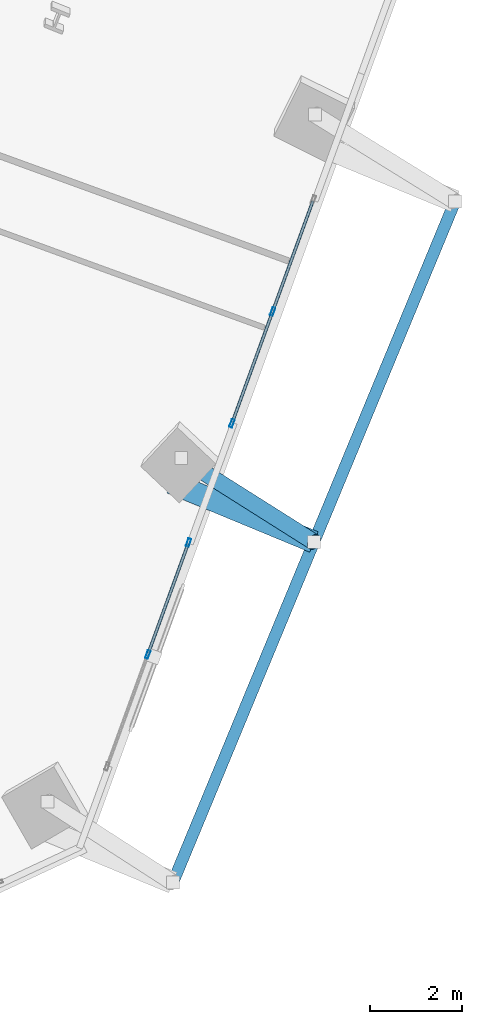
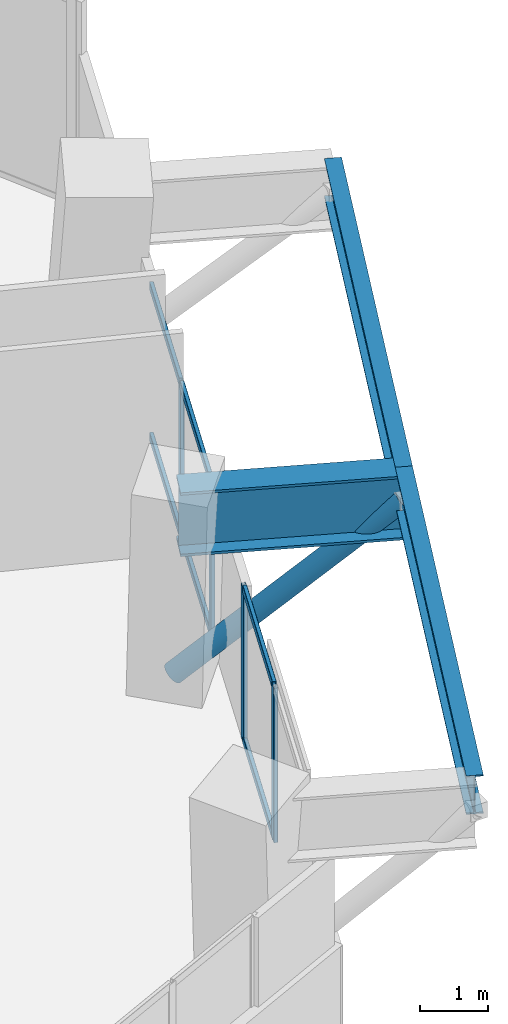
# One storey, part 9 of 21: 11 members, 3 beams, 2 elements without a shape of their own.
"""IFC4 building model written with IfcOpenShell, lengths in metres."""

import ifcopenshell
import ifcopenshell.guid

model = None  # the IFC model being written
_history = None  # IfcOwnerHistory: only IFC2X3 demands one
_inside = {}  # id of a spatial element -> (the spatial element, [elements in it])
_under = {}  # id of a project, library or spatial element -> (it, [spatial elements below it])
_declared = {}  # id of a project -> (the project, [libraries it declares])
_typed = {}  # id of a type object -> (the type object, [elements of that type])
_made_of = {}  # id of a material, layer set ... -> (it, [elements and type objects made of it])


def new_model(schema):
    """Start an empty IFC model of exactly this schema.

    Asked for "IFC4X3", IfcOpenShell would pick the latest addendum, in which some entities
    have other attributes; the version numbers below select the first issue.
    IFC2X3 requires an IfcOwnerHistory on every rooted entity: one is made here for all.
    """
    global model, _history
    if schema == "IFC4X3":
        model = ifcopenshell.file(schema_version=(4, 3, 0, 0))
    else:
        model = ifcopenshell.file(schema=schema)
    _inside.clear()
    _under.clear()
    _declared.clear()
    _typed.clear()
    _made_of.clear()
    _history = None
    if model.schema == "IFC2X3":
        org = make("IfcOrganization", Name="unknown")
        user = make(
            "IfcPersonAndOrganization",
            ThePerson=make("IfcPerson", FamilyName="unknown"),
            TheOrganization=org,
        )
        app = make(
            "IfcApplication",
            ApplicationDeveloper=org,
            Version="unknown",
            ApplicationFullName="unknown",
            ApplicationIdentifier="unknown",
        )
        _history = make(
            "IfcOwnerHistory",
            OwningUser=user,
            OwningApplication=app,
            ChangeAction="ADDED",
            CreationDate=0,
        )
    return model


def make(cls, **values):
    """One entity of the class cls with the attributes given. An attribute that is None is left unset."""
    return model.create_entity(
        cls, **{name: value for name, value in values.items() if value is not None}
    )


def rooted(cls, **values):
    """An entity with a GlobalId (a new one), such as an element, a storey or a relation."""
    return make(cls, GlobalId=ifcopenshell.guid.new(), OwnerHistory=_history, **values)


def si_unit(unit_type, name, prefix=None):
    """IfcSIUnit, for example si_unit("LENGTHUNIT", "METRE", prefix="MILLI")."""
    return make("IfcSIUnit", UnitType=unit_type, Prefix=prefix, Name=name)


def assignment(units):
    """IfcUnitAssignment: the units of a project."""
    return None if units is None else make("IfcUnitAssignment", Units=units)


def point(xyz):
    """IfcCartesianPoint."""
    return None if xyz is None else make("IfcCartesianPoint", Coordinates=xyz)


def direction(xyz):
    """IfcDirection."""
    return None if xyz is None else make("IfcDirection", DirectionRatios=xyz)


def frame(location, z_axis=None, x_axis=None):
    """IfcAxis2Placement3D, a coordinate frame: its origin and axes. An axis left out is left unset."""
    return make(
        "IfcAxis2Placement3D",
        Location=point(location),
        Axis=direction(z_axis),
        RefDirection=direction(x_axis),
    )


def frame_2d(location, x_axis=None):
    """IfcAxis2Placement2D, a coordinate frame in the plane: its origin and x axis."""
    return make(
        "IfcAxis2Placement2D", Location=point(location), RefDirection=direction(x_axis)
    )


def origin():
    """The frame at (0, 0, 0) with its axes left unset."""
    return frame((0.0, 0.0, 0.0))


def origin_2d():
    """The frame at (0, 0) in the plane with its x axis left unset."""
    return frame_2d((0.0, 0.0))


def place(relative_to, where):
    """IfcLocalPlacement: puts the frame where relative to a parent placement (None: the world)."""
    return make(
        "IfcLocalPlacement", PlacementRelTo=relative_to, RelativePlacement=where
    )


def context(
    kind, dimensions, precision=None, world=None, true_north=None, identifier=None
):
    """IfcGeometricRepresentationContext, for example the 3D "Model" context."""
    return make(
        "IfcGeometricRepresentationContext",
        ContextIdentifier=identifier,
        ContextType=kind,
        CoordinateSpaceDimension=dimensions,
        Precision=precision,
        WorldCoordinateSystem=world,
        TrueNorth=true_north,
    )


def subcontext(parent, identifier, kind, view, scale=None):
    """IfcGeometricRepresentationSubContext, for example "Body" below "Model"."""
    return make(
        "IfcGeometricRepresentationSubContext",
        ContextIdentifier=identifier,
        ContextType=kind,
        ParentContext=parent,
        TargetScale=scale,
        TargetView=view,
    )


def project(units=None, contexts=None):
    """IfcProject with its units and contexts."""
    return rooted(
        "IfcProject",
        Name="project",
        RepresentationContexts=contexts,
        UnitsInContext=assignment(units),
    )


def spatial(cls, under=None, at=None, **own):
    """A site, building, storey or space (cls), placed at a placement, below another one or the project."""
    s = rooted(cls, ObjectPlacement=at, **own)
    if under is not None:
        _under.setdefault(under.id(), (under, []))[1].append(s)
    return s


def profile(cls, at=None, kind="AREA", **sizes):
    """A parametric profile (cls). Its sizes go by their IFC names, for example OverallWidth=200.0."""
    return make(cls, ProfileType=kind, Position=at, **sizes)


def hollow_rectangle(**sizes):
    """IfcRectangleHollowProfileDef."""
    return profile("IfcRectangleHollowProfileDef", **sizes)


def hollow_circle(**sizes):
    """IfcCircleHollowProfileDef."""
    return profile("IfcCircleHollowProfileDef", **sizes)


def i_section(**sizes):
    """IfcIShapeProfileDef."""
    return profile("IfcIShapeProfileDef", **sizes)


def extrude(swept, where, along, depth):
    """IfcExtrudedAreaSolid: the profile swept, set in the frame where, extruded along a direction by depth."""
    return make(
        "IfcExtrudedAreaSolid",
        SweptArea=swept,
        Position=where,
        ExtrudedDirection=direction(along),
        Depth=depth,
    )


def shape(context_of_items, identifier, shape_type, items):
    """IfcShapeRepresentation: the items that make up one representation, for example the "Body"."""
    return make(
        "IfcShapeRepresentation",
        ContextOfItems=context_of_items,
        RepresentationIdentifier=identifier,
        RepresentationType=shape_type,
        Items=items,
    )


def source(mapping_origin, context_of_items, identifier, shape_type, items):
    """IfcRepresentationMap: a shape defined once, which mapped items show again and again."""
    return make(
        "IfcRepresentationMap",
        MappingOrigin=mapping_origin,
        MappedRepresentation=shape(context_of_items, identifier, shape_type, items),
    )


def transform(
    local_origin,
    x_axis=None,
    y_axis=None,
    z_axis=None,
    scale=None,
    scale2=None,
    scale3=None,
    uniform=True,
):
    """IfcCartesianTransformationOperator3D, or its non-uniform kind. x_axis, y_axis, z_axis: its Axis1, 2, 3."""
    if uniform:
        return make(
            "IfcCartesianTransformationOperator3D",
            Axis1=direction(x_axis),
            Axis2=direction(y_axis),
            LocalOrigin=point(local_origin),
            Scale=scale,
            Axis3=direction(z_axis),
        )
    return make(
        "IfcCartesianTransformationOperator3DnonUniform",
        Axis1=direction(x_axis),
        Axis2=direction(y_axis),
        LocalOrigin=point(local_origin),
        Scale=scale,
        Axis3=direction(z_axis),
        Scale2=scale2,
        Scale3=scale3,
    )


def mapped(mapping_source, mapping_target):
    """IfcMappedItem: shows the shape of a source again, moved by a transform."""
    return make(
        "IfcMappedItem", MappingSource=mapping_source, MappingTarget=mapping_target
    )


def material(Name=None, Category=None):
    """IfcMaterial."""
    return make("IfcMaterial", Name=Name, Category=Category)


def material_profile(
    of_material, cross_section, Name=None, Category=None, Priority=None
):
    """IfcMaterialProfile: a cross section and its material."""
    return make(
        "IfcMaterialProfile",
        Name=Name,
        Material=of_material,
        Profile=cross_section,
        Priority=Priority,
        Category=Category,
    )


def profile_set(profiles, Name=None, composite=None):
    """IfcMaterialProfileSet."""
    return make(
        "IfcMaterialProfileSet",
        Name=Name,
        MaterialProfiles=profiles,
        CompositeProfile=composite,
    )


def made_of(thing, what):
    """Note that an element or type object is made of a material, layer set ...; save() writes the relation."""
    if what is not None:
        _made_of.setdefault(what.id(), (what, []))[1].append(thing)
    return thing


def type_object(cls, material=None, **own):
    """A type object (cls), such as IfcWallType, which elements share."""
    return made_of(rooted(cls, **own), material)


def element(
    cls,
    number,
    at=None,
    inside=None,
    cuts=None,
    type_object=None,
    material=None,
    context=None,
    identifier="Body",
    shape_type=None,
    held_by="IfcProductDefinitionShape",
    body=None,
    shapes=None,
    **own,
):
    """One element of the class cls, such as IfcWall. Its Tag is "e" and its number.

    at: its placement. inside: the storey or other place that contains it. cuts: it is an
    opening in that element (IfcRelVoidsElement). A single representation is given by context,
    identifier, shape_type and body (its items); several are given by shapes. held_by: the class
    of the entity that holds the representations. save() writes the other relations.
    """
    e = rooted(cls, Tag="e%d" % number, ObjectPlacement=at, **own)
    if body is not None:
        shapes = [shape(context, identifier, shape_type, body)]
    if shapes is not None:
        e.Representation = make(held_by, Representations=shapes)
    if inside is not None:
        _inside.setdefault(inside.id(), (inside, []))[1].append(e)
    if cuts is not None:
        rooted(
            "IfcRelVoidsElement", RelatingBuildingElement=cuts, RelatedOpeningElement=e
        )
    if type_object is not None:
        _typed.setdefault(type_object.id(), (type_object, []))[1].append(e)
    return made_of(e, material)


def aggregate(whole, parts):
    """IfcRelAggregates: a whole, such as a stair, and the parts it consists of."""
    return rooted("IfcRelAggregates", RelatingObject=whole, RelatedObjects=parts)


def save(model, path):
    """Write the relations noted so far, then the file.

    IfcRelAggregates (storeys below a building ...), IfcRelContainedInSpatialStructure (elements
    in a storey), IfcRelDefinesByType, IfcRelAssociatesMaterial and IfcRelDeclares: one each for
    every whole, place, type object, material and project.
    """
    for whole, parts in _under.values():
        aggregate(whole, parts)
    for where, things in _inside.values():
        rooted(
            "IfcRelContainedInSpatialStructure",
            RelatedElements=things,
            RelatingStructure=where,
        )
    for kind, things in _typed.values():
        rooted("IfcRelDefinesByType", RelatedObjects=things, RelatingType=kind)
    for what, things in _made_of.values():
        rooted("IfcRelAssociatesMaterial", RelatedObjects=things, RelatingMaterial=what)
    for by, libraries in _declared.values():
        rooted("IfcRelDeclares", RelatingContext=by, RelatedDefinitions=libraries)
    model.write(path)


model = new_model("IFC4")

# Units and contexts
model_context = context("Model", 3, precision=1e-05, world=origin(), true_north=direction((0.0, 1.0)))
body_context = subcontext(model_context, "Body", "Model", "MODEL_VIEW")
ifc_project = project(units=[si_unit("LENGTHUNIT", "METRE"), si_unit("AREAUNIT", "SQUARE_METRE"), si_unit("VOLUMEUNIT", "CUBIC_METRE"), si_unit("PLANEANGLEUNIT", "RADIAN"), si_unit("MASSUNIT", "GRAM", prefix="KILO")], contexts=[model_context])

# Site, building, storey
site_placement = place(None, origin())
site = spatial("IfcSite", under=ifc_project, at=site_placement, CompositionType="ELEMENT")
building_placement = place(site_placement, origin())
building = spatial("IfcBuilding", under=site, at=building_placement, Name="Torre Montelarca", CompositionType="ELEMENT")
storey_placement = place(building_placement, frame((0.0, 0.0, 137.199951171875)))
storey = spatial("IfcBuildingStorey", under=building, at=storey_placement, Name="L30", CompositionType="ELEMENT", Elevation=137.199951171875)

# Member
ifc_material_1 = material(Name="Steel ASTM A500 Grade C", Category="steel")
ifc_material_profile_1 = material_profile(ifc_material_1, hollow_circle(Radius=0.177734375, WallThickness=0.015869140625, at=origin_2d()), Name="HSS355.6X15.9", Category="steel")
ifc_profile_set_1 = profile_set([ifc_material_profile_1], Name="Steel ASTM A500 Grade C")
member_type_1 = type_object("IfcMemberType", Name="MB-BR-CHS356-EXT", PredefinedType="BRACE", material=ifc_profile_set_1)
shared_shape_1 = source(origin(), body_context, "Body", "SweptSolid", [
    extrude(hollow_circle(Radius=0.177734375, WallThickness=0.015869140625, at=origin_2d()), origin(), (0.0, 0.0, 1.0), 4.697265625),
])
member_1_placement = place(storey_placement, frame((46.1982421875, 22.3955078125, 0.150146484375), z_axis=(0.613050270802, -0.387165024773, 0.688674530574), x_axis=(0.533968718217, 0.845504232967, 0.0)))
element("IfcMember", 1, at=member_1_placement, inside=storey, type_object=member_type_1, Name="L31 Sliding Tray Exterior Diagonal Raker Strut E2", PredefinedType="BRACE", context=body_context, shape_type="MappedRepresentation", body=[
    mapped(shared_shape_1, transform((0.0, 0.0, 0.0), scale=1.0)),
])

# Beams
ifc_material_2 = material(Name="Steel ASTM A572 Grade 50", Category="steel")
ifc_material_profile_2 = material_profile(ifc_material_2, i_section(OverallWidth=0.47998046875, OverallDepth=1.14990234375, WebThickness=0.02197265625, FlangeThickness=0.044921875, at=origin_2d()), Name="PG1150X480X22X45", Category="steel")
ifc_profile_set_2 = profile_set([ifc_material_profile_2], Name="Steel ASTM A572 Grade 50")
beam_type_1 = type_object("IfcBeamType", Name="BM-CG-PG1400-EXT", PredefinedType="USERDEFINED", material=ifc_profile_set_2)
shared_shape_2 = source(origin(), body_context, "Body", "SweptSolid", [
    extrude(i_section(OverallWidth=0.47998046875, OverallDepth=1.14990234375, WebThickness=0.02197265625, FlangeThickness=0.044921875, at=origin_2d()), origin(), (0.0, 0.0, 1.0), 3.349853515625),
])
beam_placement = place(storey_placement, frame((45.98291015625, 21.85888671875, 3.385009765625), z_axis=(0.923879154523, -0.382684344908, 0.0), x_axis=(0.382684344908, 0.923879154523, 0.0)))
element("IfcBeam", 2, at=beam_placement, inside=storey, type_object=beam_type_1, Name="L30 Sliding Tray Cantilever Girder East Y=32m (FLR)", ObjectType="CANTILEVER GIRDER", PredefinedType="USERDEFINED", context=body_context, shape_type="MappedRepresentation", body=[
    mapped(shared_shape_2, transform((0.0, 0.0, 0.0), scale=1.0)),
])
ifc_material_3 = material(Name="Steel ASTM A992 Grade 50", Category="steel")
ifc_material_profile_3 = material_profile(ifc_material_3, i_section(OverallWidth=0.256103515625, OverallDepth=0.693115234375, WebThickness=0.014404296875, FlangeThickness=0.023681640625, FilletRadius=0.01806640625, at=origin_2d()), Name="W690X170", Category="steel")
ifc_profile_set_3 = profile_set([ifc_material_profile_3], Name="Steel ASTM A992 Grade 50")
beam_type_2 = type_object("IfcBeamType", Name="BM-G-W690-EXT", PredefinedType="BEAM", material=ifc_profile_set_3)
shared_shape_3 = source(origin(), body_context, "Body", "SweptSolid", [
    extrude(i_section(OverallWidth=0.256103515625, OverallDepth=0.693115234375, WebThickness=0.014404296875, FlangeThickness=0.023681640625, FilletRadius=0.01806640625, at=origin_2d()), origin(), (0.0, 0.0, 1.0), 8.0),
])
for number, where, z_axis, x_axis, name in (
    (3, (46.016357421875, 13.185791015625, 3.614013671875), (0.382686001036, 0.923878468529, 0.0), (-0.923878468529, 0.382686001036, 0.0), "L30 Sliding Tray Edge Girder East 24-32m (FLR)"),
    (4, (49.077880859375, 20.576904296875, 3.614013671875), (0.382686001036, 0.923878468529, 0.0), (-0.923878468529, 0.382686001036, 0.0), "L30 Sliding Tray Edge Girder East 32-40m (FLR)"),
):
    element("IfcBeam", number, at=place(storey_placement, frame(where, z_axis=z_axis, x_axis=x_axis)), inside=storey, type_object=beam_type_2, Name=name, PredefinedType="BEAM", context=body_context, shape_type="MappedRepresentation", body=[
        mapped(shared_shape_3, transform((0.0, 0.0, 0.0), scale=1.0)),
    ])

# Curtain wall, members
ifc_material_4 = material(Name="Insulated low-E laminated glass", Category="glass")
curtain_wall_type = type_object("IfcCurtainWallType", Name="CW-SYS-Z2", PredefinedType="USERDEFINED", material=ifc_material_4)
curtain_wall_1_placement = place(storey_placement, origin())
curtain_wall_1 = element("IfcCurtainWall", 5, at=curtain_wall_1_placement, inside=storey, type_object=curtain_wall_type, Name="L30 Curtain Wall Run CW-T3-L30-E06-B1", ObjectType="UNITISED GLAZING", PredefinedType="USERDEFINED")
ifc_material_5 = material(Name="Anodised aluminium AA 6063-T6", Category="aluminium")
ifc_material_profile_4 = material_profile(ifc_material_5, hollow_rectangle(XDim=0.06494140625, YDim=0.179931640625, WallThickness=0.00390625, InnerFilletRadius=0.00390625, OuterFilletRadius=0.008056640625, at=origin_2d()), Name="ALU65X180X4", Category="aluminium")
ifc_profile_set_4 = profile_set([ifc_material_profile_4], Name="Anodised aluminium AA 6063-T6")
member_type_2 = type_object("IfcMemberType", Name="CWM-ALU180", PredefinedType="MULLION", material=ifc_profile_set_4)
shared_shape_4 = source(origin(), body_context, "Body", "SweptSolid", [
    extrude(hollow_rectangle(XDim=0.06494140625, YDim=0.179931640625, WallThickness=0.00390625, InnerFilletRadius=0.00390625, OuterFilletRadius=0.008056640625, at=origin_2d()), origin(), (0.0, 0.0, 1.0), 2.775146484375),
])
member_2_placement = place(storey_placement, frame((45.473876953125, 18.1357421875, 0.0), z_axis=(0.0, 0.0, 1.0), x_axis=(-0.939698020789, 0.342005306576, 0.0)))
member_2 = element("IfcMember", 6, at=member_2_placement, type_object=member_type_2, Name="CW mullion 2", PredefinedType="MULLION", context=body_context, shape_type="MappedRepresentation", body=[
    mapped(shared_shape_4, transform((0.0, 0.0, 0.0), scale=1.0)),
])
member_3_placement = place(storey_placement, frame((46.358154296875, 20.56494140625, 0.0), z_axis=(0.0, 0.0, 1.0), x_axis=(-0.939698020789, 0.342005306576, 0.0)))
member_3 = element("IfcMember", 7, at=member_3_placement, type_object=member_type_2, Name="CW mullion 3", PredefinedType="MULLION", context=body_context, shape_type="MappedRepresentation", body=[
    mapped(shared_shape_4, transform((0.0, 0.0, 0.0), scale=1.0)),
])

curtain_wall_2_placement = place(storey_placement, origin())
curtain_wall_2 = element("IfcCurtainWall", 8, at=curtain_wall_2_placement, inside=storey, type_object=curtain_wall_type, Name="L30 Curtain Wall Run CW-T3-L30-E06-B2", ObjectType="UNITISED GLAZING", PredefinedType="USERDEFINED")
member_4_placement = place(storey_placement, frame((47.299560546875, 23.15185546875, 0.0), z_axis=(0.0, 0.0, 1.0), x_axis=(-0.939691768248, 0.342022485644, 0.0)))
member_4 = element("IfcMember", 9, at=member_4_placement, type_object=member_type_2, Name="CW mullion 1", PredefinedType="MULLION", context=body_context, shape_type="MappedRepresentation", body=[
    mapped(shared_shape_4, transform((0.0, 0.0, 0.0), scale=1.0)),
])
member_5_placement = place(storey_placement, frame((48.182861328125, 25.578369140625, 0.0), z_axis=(0.0, 0.0, 1.0), x_axis=(-0.939691768248, 0.342022485644, 0.0)))
member_5 = element("IfcMember", 10, at=member_5_placement, type_object=member_type_2, Name="CW mullion 2", PredefinedType="MULLION", context=body_context, shape_type="MappedRepresentation", body=[
    mapped(shared_shape_4, transform((0.0, 0.0, 0.0), scale=1.0)),
])

# Member
ifc_material_profile_5 = material_profile(ifc_material_5, hollow_rectangle(XDim=0.06494140625, YDim=0.139892578125, WallThickness=0.00390625, InnerFilletRadius=0.00390625, OuterFilletRadius=0.008056640625, at=origin_2d()), Name="ALU65X140X4", Category="aluminium")
ifc_profile_set_5 = profile_set([ifc_material_profile_5], Name="Anodised aluminium AA 6063-T6")
member_type_3 = type_object("IfcMemberType", Name="CWT-ALU140", PredefinedType="USERDEFINED", material=ifc_profile_set_5)
shared_shape_5 = source(origin(), body_context, "Body", "SweptSolid", [
    extrude(hollow_rectangle(XDim=0.06494140625, YDim=0.139892578125, WallThickness=0.00390625, InnerFilletRadius=0.00390625, OuterFilletRadius=0.008056640625, at=origin_2d()), origin(), (0.0, 0.0, 1.0), 2.52001953125),
])
member_6_placement = place(storey_placement, frame((45.485107421875, 18.166259765625, 0.032470703125), z_axis=(0.341976406316, 0.939708538603, 0.0), x_axis=(-0.939708538603, 0.341976406316, 0.0)))
member_6 = element("IfcMember", 11, at=member_6_placement, type_object=member_type_3, Name="CW transom 2.1", ObjectType="TRANSOM", PredefinedType="USERDEFINED", context=body_context, shape_type="MappedRepresentation", body=[
    mapped(shared_shape_5, transform((0.0, 0.0, 0.0), scale=1.0)),
])

member_7_placement = place(storey_placement, frame((45.485107421875, 18.166259765625, 2.742431640625), z_axis=(0.341976406316, 0.939708538603, 0.0), x_axis=(-0.939708538603, 0.341976406316, 0.0)))
member_7 = element("IfcMember", 12, at=member_7_placement, type_object=member_type_3, Name="CW transom 2.2", ObjectType="TRANSOM", PredefinedType="USERDEFINED", context=body_context, shape_type="MappedRepresentation", body=[
    mapped(shared_shape_5, transform((0.0, 0.0, 0.0), scale=1.0)),
])

aggregate(curtain_wall_1, [member_2, member_3, member_6, member_7])

shared_shape_6 = source(origin(), body_context, "Body", "SweptSolid", [
    extrude(hollow_rectangle(XDim=0.06494140625, YDim=0.139892578125, WallThickness=0.00390625, InnerFilletRadius=0.00390625, OuterFilletRadius=0.008056640625, at=origin_2d()), origin(), (0.0, 0.0, 1.0), 2.517333984375),
])
member_8_placement = place(storey_placement, frame((47.310791015625, 23.182373046875, 0.032470703125), z_axis=(0.341976671197, 0.939708442208, 0.0), x_axis=(-0.939708442208, 0.341976671197, 0.0)))
member_8 = element("IfcMember", 13, at=member_8_placement, type_object=member_type_3, Name="CW transom 1.1", ObjectType="TRANSOM", PredefinedType="USERDEFINED", context=body_context, shape_type="MappedRepresentation", body=[
    mapped(shared_shape_6, transform((0.0, 0.0, 0.0), scale=1.0)),
])

member_9_placement = place(storey_placement, frame((47.310791015625, 23.182373046875, 2.742431640625), z_axis=(0.341976671197, 0.939708442208, 0.0), x_axis=(-0.939708442208, 0.341976671197, 0.0)))
member_9 = element("IfcMember", 14, at=member_9_placement, type_object=member_type_3, Name="CW transom 1.2", ObjectType="TRANSOM", PredefinedType="USERDEFINED", context=body_context, shape_type="MappedRepresentation", body=[
    mapped(shared_shape_6, transform((0.0, 0.0, 0.0), scale=1.0)),
])

member_10_placement = place(storey_placement, frame((48.19384765625, 25.60888671875, 0.032470703125), z_axis=(0.342062311623, 0.939677271709, 0.0), x_axis=(-0.939677271709, 0.342062311623, 0.0)))
member_10 = element("IfcMember", 15, at=member_10_placement, type_object=member_type_3, Name="CW transom 2.1", ObjectType="TRANSOM", PredefinedType="USERDEFINED", context=body_context, shape_type="MappedRepresentation", body=[
    mapped(shared_shape_6, transform((0.0, 0.0, 0.0), scale=1.0)),
])

member_11_placement = place(storey_placement, frame((48.19384765625, 25.60888671875, 2.742431640625), z_axis=(0.342062311623, 0.939677271709, 0.0), x_axis=(-0.939677271709, 0.342062311623, 0.0)))
member_11 = element("IfcMember", 16, at=member_11_placement, type_object=member_type_3, Name="CW transom 2.2", ObjectType="TRANSOM", PredefinedType="USERDEFINED", context=body_context, shape_type="MappedRepresentation", body=[
    mapped(shared_shape_6, transform((0.0, 0.0, 0.0), scale=1.0)),
])

aggregate(curtain_wall_2, [member_4, member_5, member_8, member_9, member_10, member_11])

save(model, "model.ifc")
